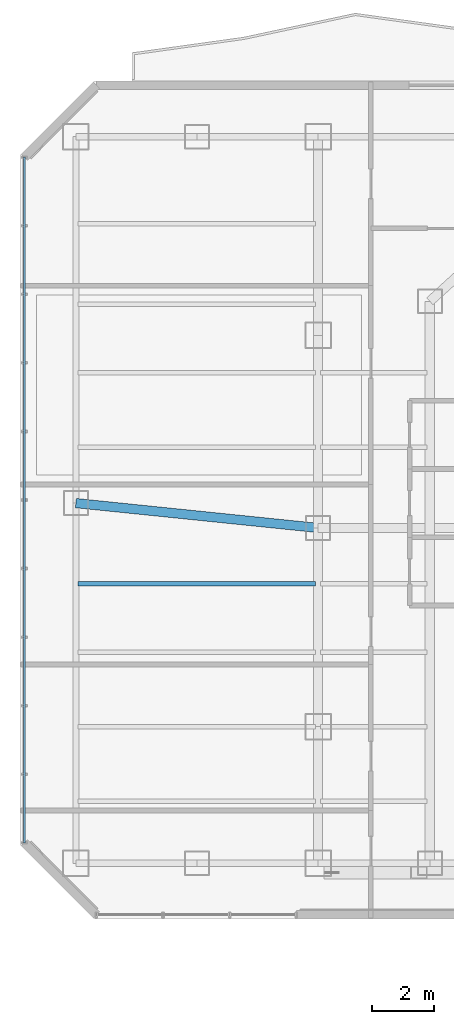
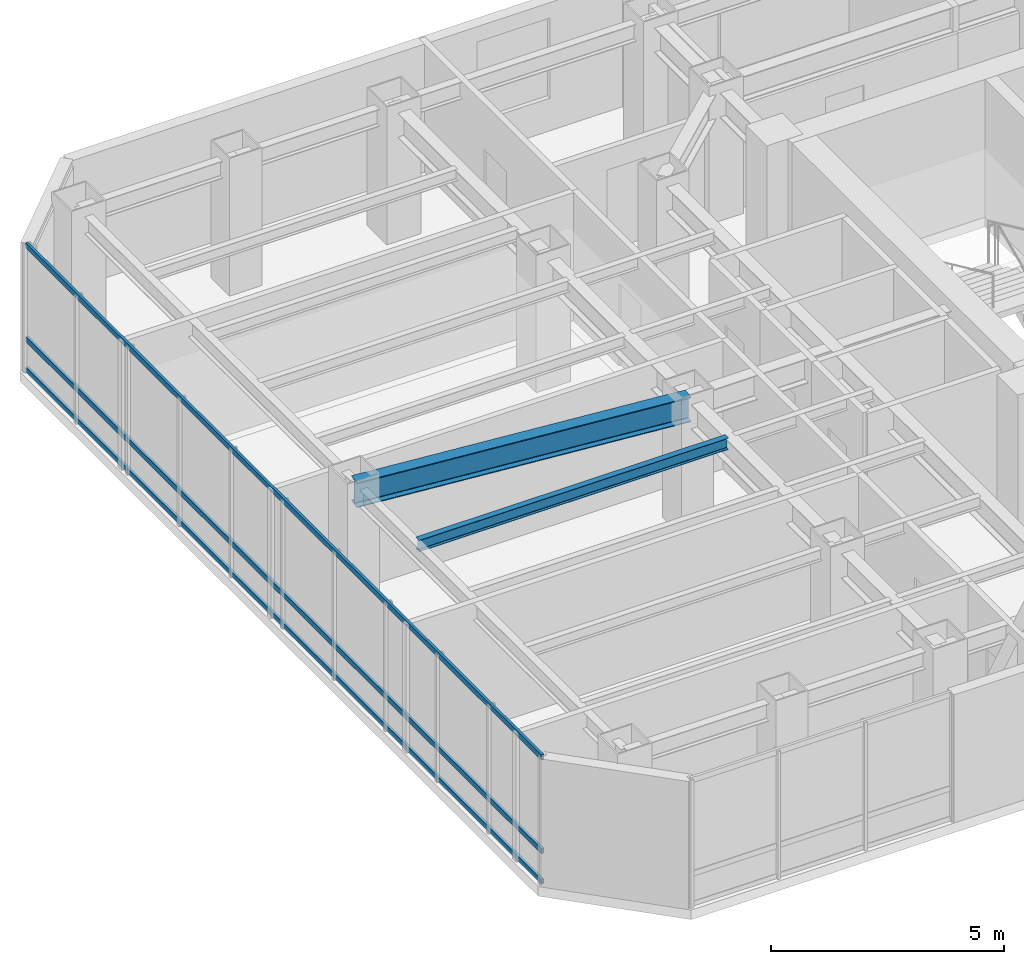
# One storey, part 7 of 27: 3 members, 2 beams, 1 element without a shape of its own.
"""IFC4 building model written with IfcOpenShell, lengths in metres."""

from ifc_helpers import new_model, si_unit, direction, frame, origin, origin_2d, place, context, subcontext, project, spatial, hollow_rectangle, i_section, extrude, material, layer, layer_set, material_profile, profile_set, type_object, element, aggregate, save


model = new_model("IFC4")

# Units and contexts
model_context = context("Model", 3, precision=1e-05, world=origin(), true_north=direction((0.0, 1.0)))
body_context = subcontext(model_context, "Body", "Model", "MODEL_VIEW")
ifc_project = project(units=[si_unit("LENGTHUNIT", "METRE"), si_unit("AREAUNIT", "SQUARE_METRE"), si_unit("VOLUMEUNIT", "CUBIC_METRE"), si_unit("PLANEANGLEUNIT", "RADIAN"), si_unit("MASSUNIT", "GRAM", prefix="KILO")], contexts=[model_context])

# Site, building, storey
site_placement = place(None, origin())
site = spatial("IfcSite", under=ifc_project, at=site_placement, CompositionType="ELEMENT")
building_placement = place(site_placement, origin())
building = spatial("IfcBuilding", under=site, at=building_placement, Name="Hatsunagi Terrace Concourse", CompositionType="ELEMENT")
storey_placement = place(building_placement, frame((0.0, 0.0, 145.64990234375)))
storey = spatial("IfcBuildingStorey", under=building, at=storey_placement, Name="L38", CompositionType="ELEMENT", Elevation=145.64990234375)

# Curtain wall, members
ifc_material_1 = material(Name="Anodised Aluminium Alloy 6063-T5", Category="aluminium")
ifc_layer = layer(ifc_material_1, 0.199951171875)
ifc_layer_set = layer_set([ifc_layer], Name="OfficeZone1_CW03")
curtain_wall_type = type_object("IfcCurtainWallType", Name="OfficeZone1_CW03", PredefinedType="NOTDEFINED", material=ifc_layer_set)
curtain_wall_placement = place(storey_placement, origin())
curtain_wall = element("IfcCurtainWall", 1, at=curtain_wall_placement, inside=storey, type_object=curtain_wall_type, Name="Unitised Curtain Wall CW-03 CW-L38-09", PredefinedType="NOTDEFINED")
ifc_material_2 = material(Name="Anodised Aluminium Alloy 6063-T5", Category="aluminium")
ifc_material_profile_1 = material_profile(ifc_material_2, hollow_rectangle(XDim=0.06494140625, YDim=0.139892578125, WallThickness=0.00390625, at=origin_2d()), Name="ALU-TRN-140x65x4")
ifc_profile_set_1 = profile_set([ifc_material_profile_1], Name="Anodised Aluminium Alloy 6063-T5")
member_type = type_object("IfcMemberType", Name="CurtainWallTransom_140x65", PredefinedType="USERDEFINED", material=ifc_profile_set_1)
member_1_placement = place(storey_placement, frame((9.739990234375, 25.85791015625, 0.050048828125), z_axis=(0.0, 1.0, 0.0), x_axis=(-1.0, 0.0, 0.0)))
member_1 = element("IfcMember", 2, at=member_1_placement, type_object=member_type, Name="Curtain Wall Transom TRN-02", ObjectType="TRANSOM", PredefinedType="USERDEFINED", context=body_context, shape_type="SweptSolid", body=[
    extrude(hollow_rectangle(XDim=0.06494140625, YDim=0.139892578125, WallThickness=0.00390625, at=origin_2d()), origin(), (0.0, 0.0, 1.0), 22.083984375),
])
member_2_placement = place(storey_placement, frame((9.739990234375, 25.85791015625, 0.85009765625), z_axis=(0.0, 1.0, 0.0), x_axis=(-1.0, 0.0, 0.0)))
member_2 = element("IfcMember", 3, at=member_2_placement, type_object=member_type, Name="Curtain Wall Transom TRN-02", ObjectType="TRANSOM", PredefinedType="USERDEFINED", context=body_context, shape_type="SweptSolid", body=[
    extrude(hollow_rectangle(XDim=0.06494140625, YDim=0.139892578125, WallThickness=0.00390625, at=origin_2d()), origin(), (0.0, 0.0, 1.0), 22.083984375),
])
member_3_placement = place(storey_placement, frame((9.739990234375, 25.85791015625, 3.300048828125), z_axis=(0.0, 1.0, 0.0), x_axis=(-1.0, 0.0, 0.0)))
member_3 = element("IfcMember", 4, at=member_3_placement, type_object=member_type, Name="Curtain Wall Transom TRN-02", ObjectType="TRANSOM", PredefinedType="USERDEFINED", context=body_context, shape_type="SweptSolid", body=[
    extrude(hollow_rectangle(XDim=0.06494140625, YDim=0.139892578125, WallThickness=0.00390625, at=origin_2d()), origin(), (0.0, 0.0, 1.0), 22.083984375),
])
aggregate(curtain_wall, [member_1, member_2, member_3])

# Beams
ifc_material_3 = material(Name="Steel SN490B", Category="steel")
ifc_material_profile_2 = material_profile(ifc_material_3, i_section(OverallWidth=0.14990234375, OverallDepth=0.300048828125, WebThickness=0.006591796875, FlangeThickness=0.009033203125, FilletRadius=0.010986328125, at=origin_2d()), Name="H-300x150x6.5x9")
ifc_profile_set_2 = profile_set([ifc_material_profile_2], Name="Steel SN490B")
beam_type_1 = type_object("IfcBeamType", Name="OfficeJoist_H_300x150", PredefinedType="JOIST", material=ifc_profile_set_2)
beam_1_placement = place(storey_placement, frame((11.465087890625, 34.199951171875, 3.2001953125), z_axis=(1.0, 0.0, 0.0), x_axis=(0.0, 1.0, 0.0)))
element("IfcBeam", 5, at=beam_1_placement, inside=storey, type_object=beam_type_1, Name="Beam J-03 J-L38-W-11-342", PredefinedType="JOIST", context=body_context, shape_type="SweptSolid", body=[
    extrude(i_section(OverallWidth=0.14990234375, OverallDepth=0.300048828125, WebThickness=0.006591796875, FlangeThickness=0.009033203125, FilletRadius=0.010986328125, at=origin_2d()), origin(), (0.0, 0.0, 1.0), 7.64990234375),
])
ifc_material_4 = material(Name="Steel SN490B", Category="steel")
ifc_material_profile_3 = material_profile(ifc_material_4, i_section(OverallWidth=0.300048828125, OverallDepth=0.64990234375, WebThickness=0.012939453125, FlangeThickness=0.02197265625, FilletRadius=0.01806640625, at=origin_2d()), Name="H-650x300x13x22")
ifc_profile_set_3 = profile_set([ifc_material_profile_3], Name="Steel SN490B")
beam_type_2 = type_object("IfcBeamType", Name="OfficeLowGirder_H_650x300", PredefinedType="BEAM", material=ifc_profile_set_3)
beam_2_placement = place(storey_placement, frame((11.39990234375, 36.800048828125, 3.025146484375), z_axis=(0.994780871372, -0.102034395927, 0.0), x_axis=(0.102034395927, 0.994780871372, 0.0)))
element("IfcBeam", 6, at=beam_2_placement, inside=storey, type_object=beam_type_2, Name="Beam G-05 BM-L38-EW-2", PredefinedType="BEAM", context=body_context, shape_type="SweptSolid", body=[
    extrude(i_section(OverallWidth=0.300048828125, OverallDepth=0.64990234375, WebThickness=0.012939453125, FlangeThickness=0.02197265625, FilletRadius=0.01806640625, at=origin_2d()), origin(), (0.0, 0.0, 1.0), 7.841064453125),
])

save(model, "model.ifc")
